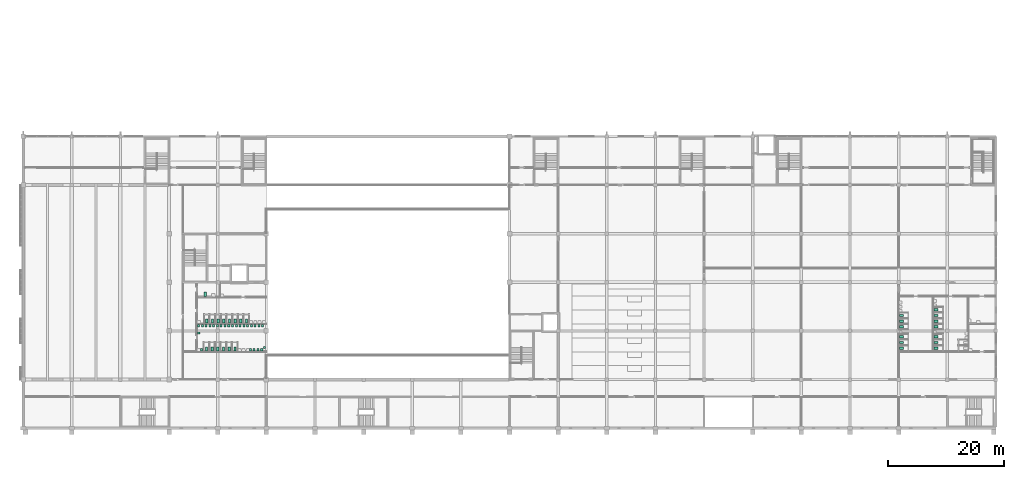
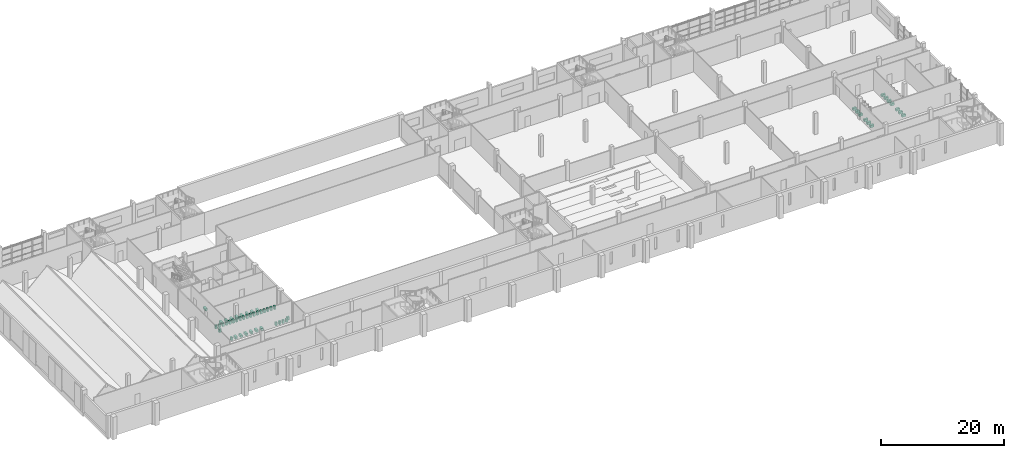
# One storey, part 55 of 56: 53 sanitary terminals.
"""IFC4 building model written with IfcOpenShell, lengths in metres."""

from ifc_helpers import new_model, si_unit, direction, frame, origin, origin_2d, place, context, subcontext, project, spatial, rectangle, extrude, material, type_object, element, save


model = new_model("IFC4")

# Units and contexts
model_context = context("Model", 3, precision=1e-05, world=origin(), true_north=direction((0.0, 1.0)))
body_context = subcontext(model_context, "Body", "Model", "MODEL_VIEW")
ifc_project = project(units=[si_unit("LENGTHUNIT", "METRE"), si_unit("AREAUNIT", "SQUARE_METRE"), si_unit("VOLUMEUNIT", "CUBIC_METRE"), si_unit("PLANEANGLEUNIT", "RADIAN"), si_unit("MASSUNIT", "GRAM", prefix="KILO")], contexts=[model_context])

# Site, building, storey
site_placement = place(None, origin())
site = spatial("IfcSite", under=ifc_project, at=site_placement, CompositionType="ELEMENT")
building_placement = place(site_placement, origin())
building = spatial("IfcBuilding", under=site, at=building_placement, Name="Rulbaag Community and Learning Centre", CompositionType="ELEMENT")
storey_placement = place(building_placement, frame((0.0, 0.0, 9.89990234375)))
storey = spatial("IfcBuildingStorey", under=building, at=storey_placement, Name="L02", CompositionType="ELEMENT", Elevation=9.89990234375)

# Sanitary terminals
ifc_material = material(Name="Vitreous china", Category="ceramic")
sanitary_terminal_type_1 = type_object("IfcSanitaryTerminalType", Name="UR-350", PredefinedType="URINAL", material=ifc_material)
for number, where, z_axis, x_axis, name in (
    (1, (30.804931640625, 13.530029296875, 0.000244140625), (0.0, 0.0, 1.0), (1.0, 0.0, 0.0), "Urinal 125"),
    (2, (39.2548828125, 13.530029296875, 0.000244140625), (0.0, 0.0, 1.0), (1.0, 0.0, 0.0), "Urinal 126"),
    (3, (39.905029296875, 13.530029296875, 0.000244140625), (0.0, 0.0, 1.0), (1.0, 0.0, 0.0), "Urinal 127"),
    (4, (40.554931640625, 13.530029296875, 0.000244140625), (0.0, 0.0, 1.0), (1.0, 0.0, 0.0), "Urinal 128"),
    (5, (41.205078125, 13.530029296875, 0.000244140625), (0.0, 0.0, 1.0), (1.0, 0.0, 0.0), "Urinal 129"),
    (6, (30.304931640625, 17.669921875, 0.000244140625), (0.0, 0.0, 1.0), (1.0, 0.0, 0.0), "Urinal 130"),
    (7, (30.955078125, 17.669921875, 0.000244140625), (0.0, 0.0, 1.0), (1.0, 0.0, 0.0), "Urinal 131"),
    (8, (31.60498046875, 17.669921875, 0.000244140625), (0.0, 0.0, 1.0), (1.0, 0.0, 0.0), "Urinal 132"),
    (9, (32.2548828125, 17.669921875, 0.000244140625), (0.0, 0.0, 1.0), (1.0, 0.0, 0.0), "Urinal 133"),
    (10, (32.905029296875, 17.669921875, 0.000244140625), (0.0, 0.0, 1.0), (1.0, 0.0, 0.0), "Urinal 134"),
    (11, (33.554931640625, 17.669921875, 0.000244140625), (0.0, 0.0, 1.0), (1.0, 0.0, 0.0), "Urinal 135"),
    (12, (34.205078125, 17.669921875, 0.000244140625), (0.0, 0.0, 1.0), (1.0, 0.0, 0.0), "Urinal 136"),
    (13, (34.85498046875, 17.669921875, 0.000244140625), (0.0, 0.0, 1.0), (1.0, 0.0, 0.0), "Urinal 137"),
    (14, (35.5048828125, 17.669921875, 0.000244140625), (0.0, 0.0, 1.0), (1.0, 0.0, 0.0), "Urinal 138"),
    (15, (36.155029296875, 17.669921875, 0.000244140625), (0.0, 0.0, 1.0), (1.0, 0.0, 0.0), "Urinal 139"),
    (16, (36.804931640625, 17.669921875, 0.000244140625), (0.0, 0.0, 1.0), (1.0, 0.0, 0.0), "Urinal 140"),
    (17, (37.455078125, 17.669921875, 0.000244140625), (0.0, 0.0, 1.0), (1.0, 0.0, 0.0), "Urinal 141"),
    (18, (38.10498046875, 17.669921875, 0.000244140625), (0.0, 0.0, 1.0), (1.0, 0.0, 0.0), "Urinal 142"),
    (19, (38.7548828125, 17.669921875, 0.000244140625), (0.0, 0.0, 1.0), (1.0, 0.0, 0.0), "Urinal 143"),
    (20, (39.405029296875, 17.669921875, 0.000244140625), (0.0, 0.0, 1.0), (1.0, 0.0, 0.0), "Urinal 144"),
    (21, (40.054931640625, 17.669921875, 0.000244140625), (0.0, 0.0, 1.0), (1.0, 0.0, 0.0), "Urinal 145"),
    (22, (40.705078125, 17.669921875, 0.000244140625), (0.0, 0.0, 1.0), (1.0, 0.0, 0.0), "Urinal 146"),
    (23, (41.35498046875, 17.669921875, 0.000244140625), (0.0, 0.0, 1.0), (1.0, 0.0, 0.0), "Urinal 147"),
):
    element("IfcSanitaryTerminal", number, at=place(storey_placement, frame(where, z_axis=z_axis, x_axis=x_axis)), inside=storey, type_object=sanitary_terminal_type_1, Name=name, PredefinedType="URINAL", context=body_context, shape_type="SweptSolid", body=[
        extrude(rectangle(XDim=0.35009765625, YDim=0.39990234375, at=origin_2d()), origin(), (0.0, 0.0, 1.0), 0.64990234375),
    ])
for number, where, z_axis, x_axis, name in (
    (24, (30.330078125, 16.455078125, 0.000244140625), (0.0, 0.0, 1.0), (1.0, 0.0, 0.0), "Urinal 148"),
    (25, (41.669921875, 13.905029296875, 0.000244140625), (0.0, 0.0, 1.0), (1.0, 0.0, 0.0), "Urinal 149"),
):
    element("IfcSanitaryTerminal", number, at=place(storey_placement, frame(where, z_axis=z_axis, x_axis=x_axis)), inside=storey, type_object=sanitary_terminal_type_1, Name=name, PredefinedType="URINAL", context=body_context, shape_type="SweptSolid", body=[
        extrude(rectangle(XDim=0.39990234375, YDim=0.35009765625, at=origin_2d()), origin(), (0.0, 0.0, 1.0), 0.64990234375),
    ])
sanitary_terminal_type_2 = type_object("IfcSanitaryTerminalType", Name="WC-400", PredefinedType="TOILETPAN", material=ifc_material)
for number, where, z_axis, x_axis, name in (
    (26, (31.669921875, 13.679931640625, 0.0), (0.0, 0.0, 1.0), (1.0, 0.0, 0.0), "WC 88"),
    (27, (32.64990234375, 13.679931640625, 0.0), (0.0, 0.0, 1.0), (1.0, 0.0, 0.0), "WC 89"),
    (28, (33.6298828125, 13.679931640625, 0.0), (0.0, 0.0, 1.0), (1.0, 0.0, 0.0), "WC 90"),
    (29, (34.610107421875, 13.679931640625, 0.0), (0.0, 0.0, 1.0), (1.0, 0.0, 0.0), "WC 91"),
    (30, (35.590087890625, 13.679931640625, 0.0), (0.0, 0.0, 1.0), (1.0, 0.0, 0.0), "WC 92"),
    (31, (36.570068359375, 13.679931640625, 0.0), (0.0, 0.0, 1.0), (1.0, 0.0, 0.0), "WC 93"),
):
    element("IfcSanitaryTerminal", number, at=place(storey_placement, frame(where, z_axis=z_axis, x_axis=x_axis)), inside=storey, type_object=sanitary_terminal_type_2, Name=name, PredefinedType="TOILETPAN", context=body_context, shape_type="SweptSolid", body=[
        extrude(rectangle(XDim=0.39990234375, YDim=0.699951171875, at=origin_2d()), origin(), (0.0, 0.0, 1.0), 0.449951171875),
    ])
for number, where, z_axis, x_axis, name in (
    (32, (151.679931640625, 13.820068359375, 0.0), (0.0, 0.0, 1.0), (1.0, 0.0, 0.0), "WC 94"),
    (33, (151.679931640625, 14.800048828125, 0.0), (0.0, 0.0, 1.0), (1.0, 0.0, 0.0), "WC 95"),
    (34, (151.679931640625, 15.780029296875, 0.0), (0.0, 0.0, 1.0), (1.0, 0.0, 0.0), "WC 96"),
    (35, (151.679931640625, 17.510009765625, 0.0), (0.0, 0.0, 1.0), (1.0, 0.0, 0.0), "WC 97"),
    (36, (151.679931640625, 18.489990234375, 0.0), (0.0, 0.0, 1.0), (1.0, 0.0, 0.0), "WC 98"),
    (37, (151.679931640625, 19.469970703125, 0.0), (0.0, 0.0, 1.0), (1.0, 0.0, 0.0), "WC 99"),
    (38, (157.679931640625, 13.820068359375, 0.0), (0.0, 0.0, 1.0), (1.0, 0.0, 0.0), "WC 100"),
    (39, (157.679931640625, 14.800048828125, 0.0), (0.0, 0.0, 1.0), (1.0, 0.0, 0.0), "WC 101"),
    (40, (157.679931640625, 15.780029296875, 0.0), (0.0, 0.0, 1.0), (1.0, 0.0, 0.0), "WC 102"),
    (41, (157.679931640625, 17.510009765625, 0.0), (0.0, 0.0, 1.0), (1.0, 0.0, 0.0), "WC 103"),
    (42, (157.679931640625, 18.489990234375, 0.0), (0.0, 0.0, 1.0), (1.0, 0.0, 0.0), "WC 104"),
    (43, (157.679931640625, 19.469970703125, 0.0), (0.0, 0.0, 1.0), (1.0, 0.0, 0.0), "WC 105"),
    (44, (157.679931640625, 20.449951171875, 0.0), (0.0, 0.0, 1.0), (1.0, 0.0, 0.0), "WC 106"),
):
    element("IfcSanitaryTerminal", number, at=place(storey_placement, frame(where, z_axis=z_axis, x_axis=x_axis)), inside=storey, type_object=sanitary_terminal_type_2, Name=name, PredefinedType="TOILETPAN", context=body_context, shape_type="SweptSolid", body=[
        extrude(rectangle(XDim=0.699951171875, YDim=0.39990234375, at=origin_2d()), origin(), (0.0, 0.0, 1.0), 0.449951171875),
    ])
for number, where, z_axis, x_axis, name in (
    (45, (31.719970703125, 18.47998046875, 0.0), (0.0, 0.0, 1.0), (1.0, 0.0, 0.0), "WC 109"),
    (46, (32.699951171875, 18.47998046875, 0.0), (0.0, 0.0, 1.0), (1.0, 0.0, 0.0), "WC 110"),
    (47, (33.679931640625, 18.47998046875, 0.0), (0.0, 0.0, 1.0), (1.0, 0.0, 0.0), "WC 111"),
    (48, (34.659912109375, 18.47998046875, 0.0), (0.0, 0.0, 1.0), (1.0, 0.0, 0.0), "WC 112"),
    (49, (35.639892578125, 18.47998046875, 0.0), (0.0, 0.0, 1.0), (1.0, 0.0, 0.0), "WC 113"),
    (50, (36.6201171875, 18.47998046875, 0.0), (0.0, 0.0, 1.0), (1.0, 0.0, 0.0), "WC 114"),
    (51, (37.60009765625, 18.47998046875, 0.0), (0.0, 0.0, 1.0), (1.0, 0.0, 0.0), "WC 115"),
    (52, (38.580078125, 18.47998046875, 0.0), (0.0, 0.0, 1.0), (1.0, 0.0, 0.0), "WC 116"),
):
    element("IfcSanitaryTerminal", number, at=place(storey_placement, frame(where, z_axis=z_axis, x_axis=x_axis)), inside=storey, type_object=sanitary_terminal_type_2, Name=name, PredefinedType="TOILETPAN", context=body_context, shape_type="SweptSolid", body=[
        extrude(rectangle(XDim=0.39990234375, YDim=0.699951171875, at=origin_2d()), origin(), (0.0, 0.0, 1.0), 0.449951171875),
    ])
sanitary_terminal_type_3 = type_object("IfcSanitaryTerminalType", Name="WC-AC-480", PredefinedType="TOILETPAN", material=ifc_material)
sanitary_terminal_placement = place(storey_placement, frame((31.429931640625, 23.10498046875, 0.0), z_axis=(0.0, 0.0, 1.0), x_axis=(1.0, 0.0, 0.0)))
element("IfcSanitaryTerminal", 53, at=sanitary_terminal_placement, inside=storey, type_object=sanitary_terminal_type_3, Name="WC 117", PredefinedType="TOILETPAN", context=body_context, shape_type="SweptSolid", body=[
    extrude(rectangle(XDim=0.39990234375, YDim=0.75, at=origin_2d()), origin(), (0.0, 0.0, 1.0), 0.47998046875),
])

save(model, "model.ifc")
